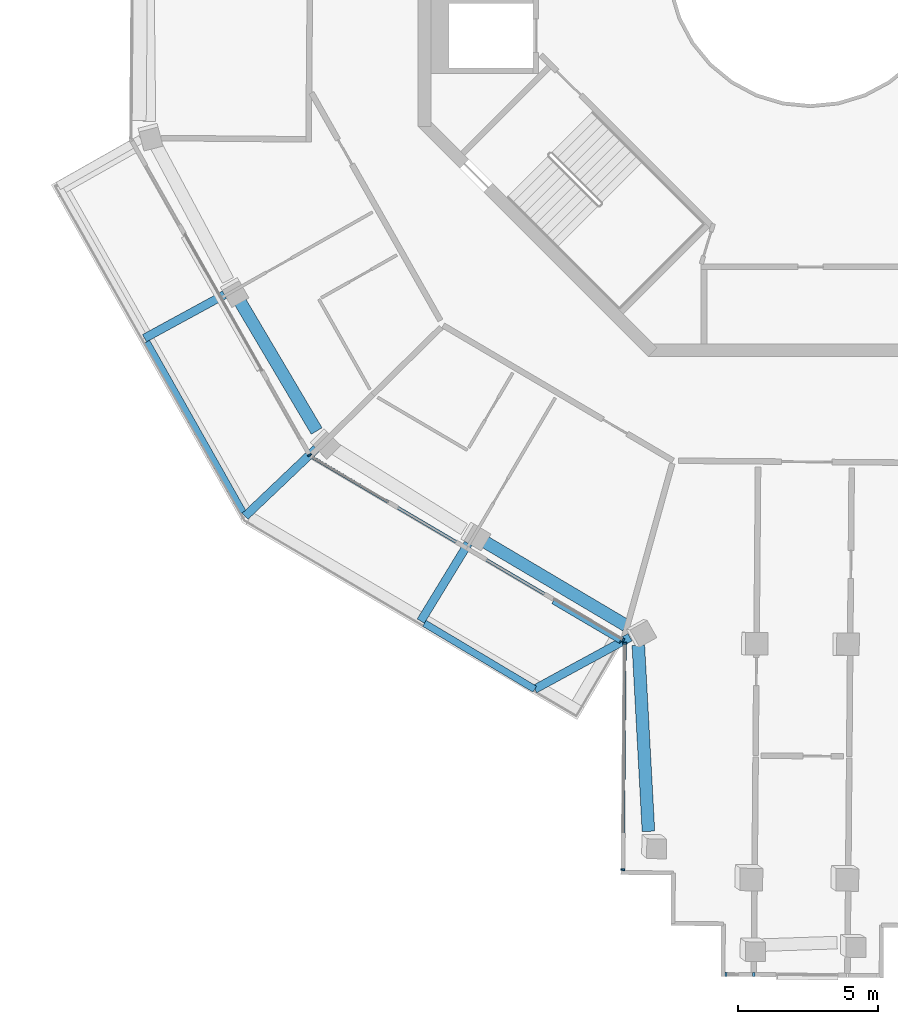
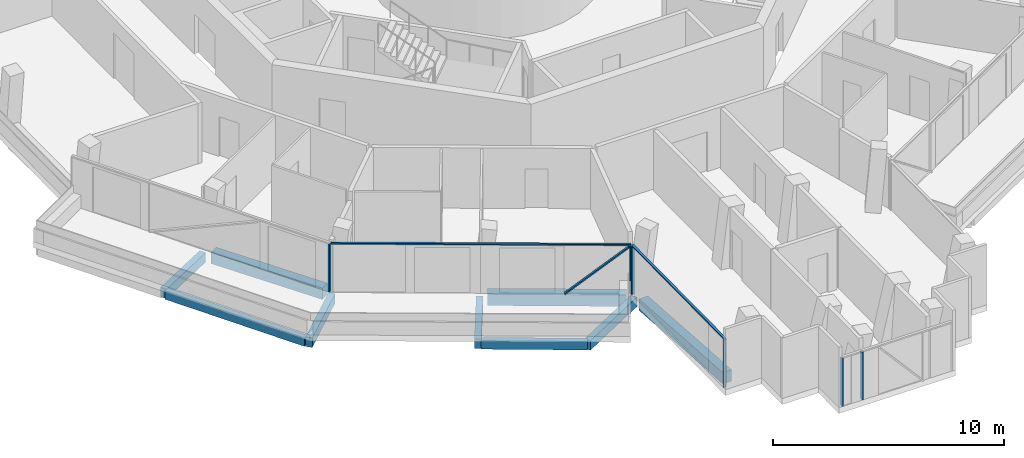
# One storey, part 2 of 24: 9 beams, 9 members, 4 elements without a shape of their own.
"""IFC4 building model written with IfcOpenShell, lengths in metres."""

from ifc_helpers import new_model, si_unit, direction, frame, origin, origin_2d, place, context, subcontext, project, spatial, rectangle, extrude, material, layer, layer_set, material_profile, profile_set, type_object, element, aggregate, save


model = new_model("IFC4")

# Units and contexts
model_context = context("Model", 3, precision=1e-05, world=origin(), true_north=direction((0.0, 1.0)))
body_context = subcontext(model_context, "Body", "Model", "MODEL_VIEW")
ifc_project = project(units=[si_unit("LENGTHUNIT", "METRE"), si_unit("AREAUNIT", "SQUARE_METRE"), si_unit("VOLUMEUNIT", "CUBIC_METRE"), si_unit("PLANEANGLEUNIT", "RADIAN"), si_unit("MASSUNIT", "GRAM", prefix="KILO")], contexts=[model_context])

# Site, building, storey
site_placement = place(None, origin())
site = spatial("IfcSite", under=ifc_project, at=site_placement, CompositionType="ELEMENT")
building_placement = place(site_placement, origin())
building = spatial("IfcBuilding", under=site, at=building_placement, Name="Verdalira Terraces Hotel", CompositionType="ELEMENT")
storey_placement = place(building_placement, frame((0.0, 0.0, 277.5)))
storey = spatial("IfcBuildingStorey", under=building, at=storey_placement, Name="L68", CompositionType="ELEMENT", Elevation=277.5)

# Beams
ifc_material_1 = material(Name="Concrete C40", Category="concrete")
ifc_material_profile_1 = material_profile(ifc_material_1, rectangle(XDim=0.300049, YDim=0.5, at=origin_2d()), Name="RC 300X500")
ifc_profile_set_1 = profile_set([ifc_material_profile_1], Name="Concrete C40")
beam_type_1 = type_object("IfcBeamType", Name="Balcony cantilever beam RC 300X500 C40", PredefinedType="BEAM", material=ifc_profile_set_1)
beam_1_placement = place(storey_placement, frame((-12.213135, -20.669434, -0.560059), z_axis=(-0.521568477, -0.853209426, 0.0), x_axis=(0.853209426, -0.521568477, 0.0)))
element("IfcBeam", 1, at=beam_1_placement, inside=storey, type_object=beam_type_1, Name="Balcony cantilever beam R12-1", PredefinedType="BEAM", context=body_context, shape_type="SweptSolid", body=[
    extrude(rectangle(XDim=0.300049, YDim=0.5, at=origin_2d()), origin(), (0.0, 0.0, 1.0), 3.250977),
])
beam_2_placement = place(storey_placement, frame((-6.442871, -24.019531, -0.560059), z_axis=(-0.878314753, -0.478082833, 0.0), x_axis=(0.478082833, -0.878314753, 0.0)))
element("IfcBeam", 2, at=beam_2_placement, inside=storey, type_object=beam_type_1, Name="Balcony cantilever beam R12-2", PredefinedType="BEAM", context=body_context, shape_type="SweptSolid", body=[
    extrude(rectangle(XDim=0.300049, YDim=0.5, at=origin_2d()), origin(), (0.0, 0.0, 1.0), 3.869873),
])
beam_3_placement = place(storey_placement, frame((-20.911621, -11.793701, -0.560059), z_axis=(-0.878308542, -0.478094243, 0.0), x_axis=(0.478094243, -0.878308542, 0.0)))
element("IfcBeam", 3, at=beam_3_placement, inside=storey, type_object=beam_type_1, Name="Balcony cantilever beam R12-4", PredefinedType="BEAM", context=body_context, shape_type="SweptSolid", body=[
    extrude(rectangle(XDim=0.300049, YDim=0.5, at=origin_2d()), origin(), (0.0, 0.0, 1.0), 3.250732),
])
beam_4_placement = place(storey_placement, frame((-17.638916, -17.287109, -0.560059), z_axis=(-0.724694757, -0.689070032, 0.0), x_axis=(0.689070032, -0.724694757, 0.0)))
element("IfcBeam", 4, at=beam_4_placement, inside=storey, type_object=beam_type_1, Name="Balcony cantilever beam R12-5", PredefinedType="BEAM", context=body_context, shape_type="SweptSolid", body=[
    extrude(rectangle(XDim=0.300049, YDim=0.5, at=origin_2d()), origin(), (0.0, 0.0, 1.0), 3.501953),
])
ifc_material_2 = material(Name="Concrete C40", Category="concrete")
ifc_material_profile_2 = material_profile(ifc_material_2, rectangle(XDim=0.25, YDim=0.449951, at=origin_2d()), Name="RC 250X450")
ifc_profile_set_2 = profile_set([ifc_material_profile_2], Name="Concrete C40")
beam_type_2 = type_object("IfcBeamType", Name="Balcony edge beam RC 250X450 C40", PredefinedType="BEAM", material=ifc_profile_set_2)
beam_5_placement = place(storey_placement, frame((-13.779785, -23.52002, -0.534912), z_axis=(0.858758681, -0.512380257, 0.0), x_axis=(0.512380257, 0.858758681, 0.0)))
element("IfcBeam", 5, at=beam_5_placement, inside=storey, type_object=beam_type_2, Name="Balcony edge beam R12-1", PredefinedType="BEAM", context=body_context, shape_type="SweptSolid", body=[
    extrude(rectangle(XDim=0.25, YDim=0.449951, at=origin_2d()), origin(), (0.0, 0.0, 1.0), 4.585693),
])
beam_6_placement = place(storey_placement, frame((-23.693115, -13.478516, -0.534912), z_axis=(0.4920423, -0.870571293, 0.0), x_axis=(0.870571293, 0.4920423, 0.0)))
element("IfcBeam", 6, at=beam_6_placement, inside=storey, type_object=beam_type_2, Name="Balcony edge beam R12-3", PredefinedType="BEAM", context=body_context, shape_type="SweptSolid", body=[
    extrude(rectangle(XDim=0.25, YDim=0.449951, at=origin_2d()), origin(), (0.0, 0.0, 1.0), 6.992188),
])

# Curtain wall, member
ifc_material_3 = material(Name="Clear glass", Category="glass")
ifc_layer_1 = layer(ifc_material_3, 0.14990234375)
ifc_layer_set_1 = layer_set([ifc_layer_1], Name="CW1 curtain wall")
curtain_wall_type_1 = type_object("IfcCurtainWallType", Name="CW1 curtain wall", PredefinedType="NOTDEFINED", material=ifc_layer_set_1)
curtain_wall_1_placement = place(storey_placement, origin())
curtain_wall_1 = element("IfcCurtainWall", 7, at=curtain_wall_1_placement, inside=storey, type_object=curtain_wall_type_1, Name="CW1 curtain wall L68 edge 12", PredefinedType="NOTDEFINED")
ifc_material_4 = material(Name="Terracotta frame", Category="masonry")
ifc_material_profile_3 = material_profile(ifc_material_4, rectangle(XDim=0.060059, YDim=0.149902, at=origin_2d()), Name="MU 60x150")
ifc_profile_set_3 = profile_set([ifc_material_profile_3], Name="Terracotta frame")
member_type_1 = type_object("IfcMemberType", Name="CW1 mullion 60x150", PredefinedType="MULLION", material=ifc_profile_set_3)
member_1_placement = place(storey_placement, frame((-17.875732, -17.510986, 0.0), z_axis=(0.0, 0.0, 1.0), x_axis=(0.492727342, -0.870183755, 0.0)))
member_1 = element("IfcMember", 8, at=member_1_placement, type_object=member_type_1, Name="CW1 mullion", PredefinedType="MULLION", context=body_context, shape_type="SweptSolid", body=[
    extrude(rectangle(XDim=0.060059, YDim=0.149902, at=origin_2d()), origin(), (0.0, 0.0, 1.0), 2.524902),
])
aggregate(curtain_wall_1, [member_1])

# Curtain wall, members
curtain_wall_2_placement = place(storey_placement, origin())
curtain_wall_2 = element("IfcCurtainWall", 9, at=curtain_wall_2_placement, inside=storey, type_object=curtain_wall_type_1, Name="CW1 curtain wall L68 edge 13", PredefinedType="NOTDEFINED")
member_2_placement = place(storey_placement, frame((-6.690918, -24.123291, 0.0), z_axis=(0.0, 0.0, 1.0), x_axis=(0.861806272, -0.507237567, 0.0)))
member_2 = element("IfcMember", 10, at=member_2_placement, type_object=member_type_1, Name="CW1 mullion", PredefinedType="MULLION", context=body_context, shape_type="SweptSolid", body=[
    extrude(rectangle(XDim=0.060059, YDim=0.149902, at=origin_2d()), origin(), (0.0, 0.0, 1.0), 2.524902),
])
ifc_material_5 = material(Name="Terracotta frame", Category="masonry")
ifc_material_profile_4 = material_profile(ifc_material_5, rectangle(XDim=0.110107, YDim=0.064941, at=origin_2d()), Name="TR 65x110")
ifc_profile_set_4 = profile_set([ifc_material_profile_4], Name="Terracotta frame")
member_type_2 = type_object("IfcMemberType", Name="CW1 transom 65x110", PredefinedType="USERDEFINED", material=ifc_profile_set_4)
member_3_placement = place(storey_placement, frame((-17.83374, -17.564697, 2.557617), z_axis=(0.861802462, -0.50724404, 0.0), x_axis=(0.50724404, 0.861802462, 0.0)))
member_3 = element("IfcMember", 11, at=member_3_placement, type_object=member_type_2, Name="CW1 transom", ObjectType="TRANSOM", PredefinedType="USERDEFINED", context=body_context, shape_type="SweptSolid", body=[
    extrude(rectangle(XDim=0.110107, YDim=0.064941, at=origin_2d()), origin(), (0.0, 0.0, 1.0), 12.959717),
])

ifc_material_6 = material(Name="Clear glass", Category="glass")
ifc_layer_2 = layer(ifc_material_6, 0.14990234375)
ifc_layer_set_2 = layer_set([ifc_layer_2], Name="CW2 curtain wall")
curtain_wall_type_2 = type_object("IfcCurtainWallType", Name="CW2 curtain wall", PredefinedType="NOTDEFINED", material=ifc_layer_set_2)
curtain_wall_3_placement = place(storey_placement, origin())
curtain_wall_3 = element("IfcCurtainWall", 12, at=curtain_wall_3_placement, inside=storey, type_object=curtain_wall_type_2, Name="CW2 curtain wall L68 edge 14", PredefinedType="NOTDEFINED")
ifc_material_7 = material(Name="Terracotta frame", Category="masonry")
ifc_material_profile_5 = material_profile(ifc_material_7, rectangle(XDim=0.070068, YDim=0.149902, at=origin_2d()), Name="MU 70x150")
ifc_profile_set_5 = profile_set([ifc_material_profile_5], Name="Terracotta frame")
member_type_3 = type_object("IfcMemberType", Name="CW2 mullion 70x150", PredefinedType="MULLION", material=ifc_profile_set_5)
member_4_placement = place(storey_placement, frame((-6.628174, -24.23877, 0.0), z_axis=(0.0, 0.0, 1.0), x_axis=(-0.008377482, -0.999964908, 0.0)))
member_4 = element("IfcMember", 13, at=member_4_placement, type_object=member_type_3, Name="CW2 mullion", PredefinedType="MULLION", context=body_context, shape_type="SweptSolid", body=[
    extrude(rectangle(XDim=0.070068, YDim=0.149902, at=origin_2d()), origin(), (0.0, 0.0, 1.0), 2.524902),
])
member_5_placement = place(storey_placement, frame((-6.695801, -32.306396, 0.0), z_axis=(0.0, 0.0, 1.0), x_axis=(-0.008377482, -0.999964908, 0.0)))
member_5 = element("IfcMember", 14, at=member_5_placement, type_object=member_type_3, Name="CW2 mullion", PredefinedType="MULLION", context=body_context, shape_type="SweptSolid", body=[
    extrude(rectangle(XDim=0.070068, YDim=0.149902, at=origin_2d()), origin(), (0.0, 0.0, 1.0), 2.524902),
])
ifc_material_8 = material(Name="Terracotta frame", Category="masonry")
ifc_material_profile_6 = material_profile(ifc_material_8, rectangle(XDim=0.11499, YDim=0.064941, at=origin_2d()), Name="TR 65x115")
ifc_profile_set_6 = profile_set([ifc_material_profile_6], Name="Terracotta frame")
member_type_4 = type_object("IfcMemberType", Name="CW2 transom 65x115", PredefinedType="USERDEFINED", material=ifc_profile_set_6)
member_6_placement = place(storey_placement, frame((-6.62793, -24.203613, 2.557617), z_axis=(-0.00840004, -0.999964719, 0.0), x_axis=(0.999964719, -0.00840004, 0.0)))
member_6 = element("IfcMember", 15, at=member_6_placement, type_object=member_type_4, Name="CW2 transom", ObjectType="TRANSOM", PredefinedType="USERDEFINED", context=body_context, shape_type="SweptSolid", body=[
    extrude(rectangle(XDim=0.11499, YDim=0.064941, at=origin_2d()), origin(), (0.0, 0.0, 1.0), 8.137939),
])
aggregate(curtain_wall_3, [member_4, member_5, member_6])

ifc_material_9 = material(Name="Clear glass", Category="glass")
ifc_layer_3 = layer(ifc_material_9, 0.14990234375)
ifc_layer_set_3 = layer_set([ifc_layer_3], Name="CW3 curtain wall")
curtain_wall_type_3 = type_object("IfcCurtainWallType", Name="CW3 curtain wall", PredefinedType="NOTDEFINED", material=ifc_layer_set_3)
curtain_wall_4_placement = place(storey_placement, origin())
curtain_wall_4 = element("IfcCurtainWall", 16, at=curtain_wall_4_placement, inside=storey, type_object=curtain_wall_type_3, Name="CW3 curtain wall L68 edge 19", PredefinedType="NOTDEFINED")
ifc_material_10 = material(Name="Terracotta frame", Category="masonry")
ifc_material_profile_7 = material_profile(ifc_material_10, rectangle(XDim=0.080078, YDim=0.149902, at=origin_2d()), Name="MU 80x150")
ifc_profile_set_7 = profile_set([ifc_material_profile_7], Name="Terracotta frame")
member_type_5 = type_object("IfcMemberType", Name="CW3 mullion 80x150", PredefinedType="MULLION", material=ifc_profile_set_7)
member_7_placement = place(storey_placement, frame((-3.012207, -36.047363, 0.0), z_axis=(0.0, 0.0, 1.0), x_axis=(0.999964908, -0.008377482, 0.0)))
member_7 = element("IfcMember", 17, at=member_7_placement, type_object=member_type_5, Name="CW3 mullion", PredefinedType="MULLION", context=body_context, shape_type="SweptSolid", body=[
    extrude(rectangle(XDim=0.080078, YDim=0.149902, at=origin_2d()), origin(), (0.0, 0.0, 1.0), 2.524902),
])
member_8_placement = place(storey_placement, frame((-2.025146, -36.055664, 0.0), z_axis=(0.0, 0.0, 1.0), x_axis=(0.999964908, -0.008377482, 0.0)))
member_8 = element("IfcMember", 18, at=member_8_placement, type_object=member_type_5, Name="CW3 mullion", PredefinedType="MULLION", context=body_context, shape_type="SweptSolid", body=[
    extrude(rectangle(XDim=0.080078, YDim=0.149902, at=origin_2d()), origin(), (0.0, 0.0, 1.0), 2.524902),
])
aggregate(curtain_wall_4, [member_7, member_8])

# Member
ifc_material_11 = material(Name="Terracotta frame", Category="masonry")
ifc_material_profile_8 = material_profile(ifc_material_11, rectangle(XDim=0.149902, YDim=0.060059, at=origin_2d()), Name="GB 60x150")
ifc_profile_set_8 = profile_set([ifc_material_profile_8], Name="Terracotta frame")
member_type_6 = type_object("IfcMemberType", Name="Diagonal glazing bar 60x150", PredefinedType="USERDEFINED", material=ifc_profile_set_8)
member_9_placement = place(storey_placement, frame((-9.176758, -22.763184, 0.023682), z_axis=(0.642936366, -0.3784256, 0.665903067), x_axis=(0.507246897, 0.86180078, 0.0)))
member_9 = element("IfcMember", 19, at=member_9_placement, type_object=member_type_6, Name="Diagonal glazing bar", ObjectType="GLAZING BAR", PredefinedType="USERDEFINED", context=body_context, shape_type="SweptSolid", body=[
    extrude(rectangle(XDim=0.149902, YDim=0.060059, at=origin_2d()), origin(), (0.0, 0.0, 1.0), 3.720459),
])

aggregate(curtain_wall_2, [member_2, member_3, member_9])

# Beams
ifc_material_12 = material(Name="Concrete C40", Category="concrete")
ifc_material_profile_9 = material_profile(ifc_material_12, rectangle(XDim=0.449951, YDim=0.600098, at=origin_2d()), Name="RC 450X600")
ifc_profile_set_9 = profile_set([ifc_material_profile_9], Name="Concrete C40")
beam_type_3 = type_object("IfcBeamType", Name="Spandrel beam RC 450X600 C40", PredefinedType="SPANDREL", material=ifc_profile_set_9)
beam_7_placement = place(storey_placement, frame((-20.436035, -11.908447, -0.610107), z_axis=(0.509427819, -0.860513392, 0.0), x_axis=(0.860513392, 0.509427819, 0.0)))
element("IfcBeam", 20, at=beam_7_placement, inside=storey, type_object=beam_type_3, Name="Spandrel beam B07", PredefinedType="SPANDREL", context=body_context, shape_type="SweptSolid", body=[
    extrude(rectangle(XDim=0.449951, YDim=0.600098, at=origin_2d()), origin(), (0.0, 0.0, 1.0), 5.521484),
])
beam_8_placement = place(storey_placement, frame((-11.754395, -20.53418, -0.610107), z_axis=(0.86031792, -0.509757861, 0.0), x_axis=(0.509757861, 0.86031792, 0.0)))
element("IfcBeam", 21, at=beam_8_placement, inside=storey, type_object=beam_type_3, Name="Spandrel beam B09", PredefinedType="SPANDREL", context=body_context, shape_type="SweptSolid", body=[
    extrude(rectangle(XDim=0.449951, YDim=0.600098, at=origin_2d()), origin(), (0.0, 0.0, 1.0), 6.011475),
])
beam_9_placement = place(storey_placement, frame((-6.144287, -24.309082, -0.610107), z_axis=(0.054253409, -0.998527199, 0.0), x_axis=(0.998527199, 0.054253409, 0.0)))
element("IfcBeam", 22, at=beam_9_placement, inside=storey, type_object=beam_type_3, Name="Spandrel beam B10", PredefinedType="SPANDREL", context=body_context, shape_type="SweptSolid", body=[
    extrude(rectangle(XDim=0.449951, YDim=0.600098, at=origin_2d()), origin(), (0.0, 0.0, 1.0), 6.646484),
])

save(model, "model.ifc")
